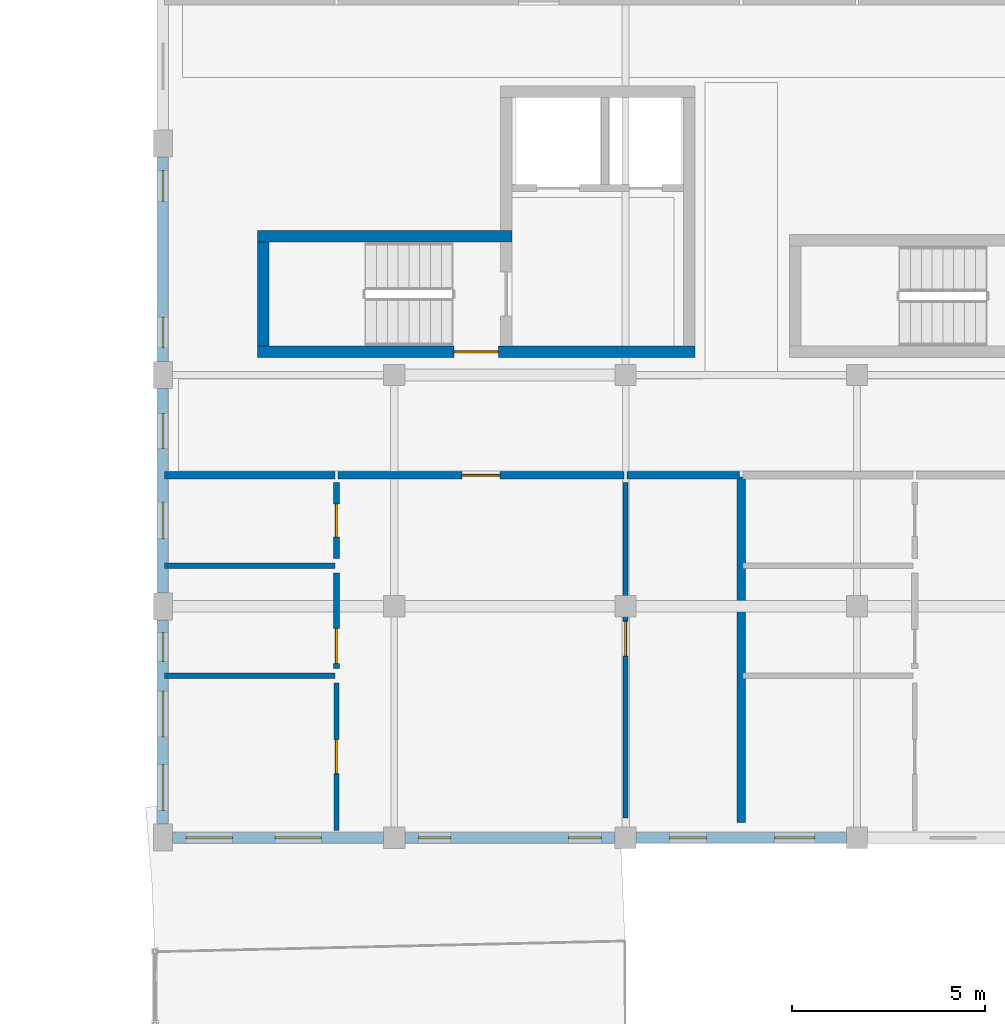
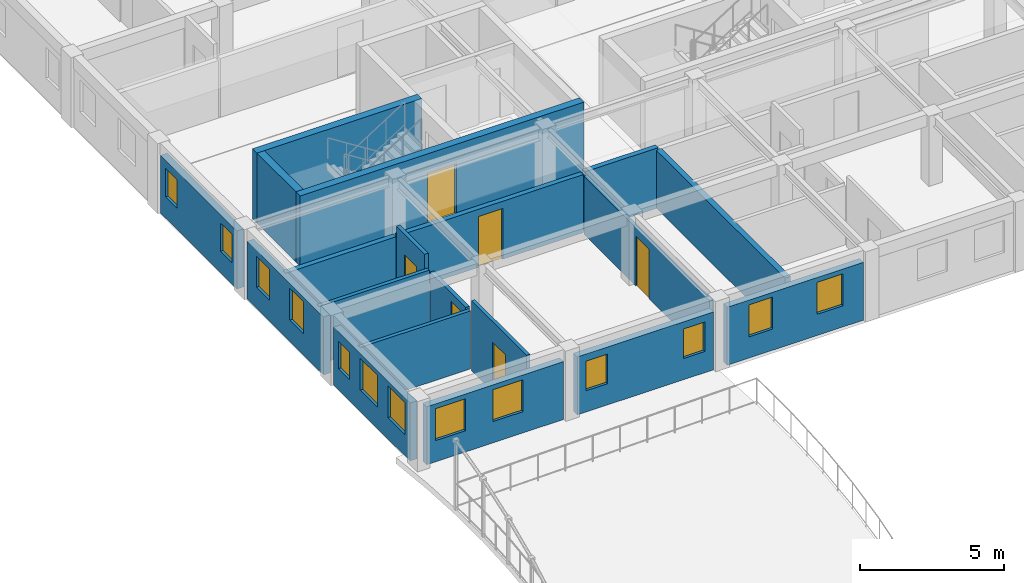
# One storey, part 34 of 58: 19 walls, 13 windows, 6 doors, 19 openings.
"""IFC4 building model written with IfcOpenShell, lengths in metres."""

from ifc_helpers import new_model, si_unit, direction, frame, frame_2d, origin, place, context, subcontext, project, spatial, rectangle, extrude, material, layer, layer_set, type_object, element, fill, save


model = new_model("IFC4")

# Units and contexts
model_context = context("Model", 3, precision=1e-05, world=origin(), true_north=direction((0.0, 1.0)))
body_context = subcontext(model_context, "Body", "Model", "MODEL_VIEW")
ifc_project = project(units=[si_unit("LENGTHUNIT", "METRE"), si_unit("AREAUNIT", "SQUARE_METRE"), si_unit("VOLUMEUNIT", "CUBIC_METRE"), si_unit("PLANEANGLEUNIT", "RADIAN"), si_unit("MASSUNIT", "GRAM", prefix="KILO"), si_unit("POWERUNIT", "WATT"), si_unit("THERMODYNAMICTEMPERATUREUNIT", "KELVIN")], contexts=[model_context])

# Site, building, storey
site_placement = place(None, origin())
site = spatial("IfcSite", under=ifc_project, at=site_placement, CompositionType="ELEMENT")
building_placement = place(site_placement, origin())
building = spatial("IfcBuilding", under=site, at=building_placement, Name="Ruvembo Vaulted Housing Court", CompositionType="ELEMENT")
storey_placement = place(building_placement, frame((0.0, 0.0, 20.5)))
storey = spatial("IfcBuildingStorey", under=building, at=storey_placement, Name="L06", CompositionType="ELEMENT", Elevation=20.5)

# Wall, opening, door
ifc_material_1 = material(Name="Concrete C35/45", Category="concrete")
ifc_layer_1 = layer(ifc_material_1, 0.300048828125, Name="Concrete C35/45")
ifc_layer_set_1 = layer_set([ifc_layer_1], Name="Concrete C35/45")
wall_type_1 = type_object("IfcWallType", Name="WL-CORE-300", PredefinedType="SHEAR", material=ifc_layer_set_1)
wall_1_placement = place(storey_placement, frame((50.449951171875, 90.60009765625, 0.0), z_axis=(0.0, 0.0, 1.0), x_axis=(1.0, 0.0, 0.0)))
wall_1 = element("IfcWall", 1, at=wall_1_placement, inside=storey, type_object=wall_type_1, Name="Core B1 L06 South Shear Wall", PredefinedType="SHEAR", context=body_context, shape_type="SweptSolid", body=[
    extrude(rectangle(XDim=11.35009765625, YDim=0.300048828125, at=frame_2d((5.675048828125, 0.0))), origin(), (0.0, 0.0, 1.0), 2.969970703125),
])
opening_1_placement = place(wall_1_placement, frame((5.10009765625, 0.0, 0.0)))
opening_1 = element("IfcOpeningElement", 2, at=opening_1_placement, cuts=wall_1, Name="Opening LD0", PredefinedType="OPENING", context=body_context, shape_type="SweptSolid", body=[
    extrude(rectangle(XDim=1.14990234375, YDim=2.14990234375, at=frame_2d((0.574951171875, 1.074951171875))), frame((0.0, 0.159912109375, 0.0), z_axis=(0.0, -1.0, 0.0), x_axis=(1.0, 0.0, 0.0)), (0.0, 0.0, 1.0), 0.320068359375),
])
ifc_material_2 = material(Name="Galvanised Painted Steel", Category="steel")
door_type_1 = type_object("IfcDoorType", Name="DR-LOB-1150x2150", OperationType="NOTDEFINED", PredefinedType="DOOR", material=ifc_material_2)
door_1_placement = place(opening_1_placement, origin())
door_1 = element("IfcDoor", 3, at=door_1_placement, inside=storey, type_object=door_type_1, Name="Core B1 L06 Lobby Fire Door", OperationType="SINGLE_SWING_RIGHT", OverallHeight=2.14990234375, OverallWidth=1.14990234375, PredefinedType="DOOR", context=body_context, shape_type="SweptSolid", body=[
    extrude(rectangle(XDim=1.14990234375, YDim=2.14990234375, at=frame_2d((0.574951171875, 1.074951171875))), frame((0.0, 0.02490234375, 0.0), z_axis=(0.0, -1.0, 0.0), x_axis=(1.0, 0.0, 0.0)), (0.0, 0.0, 1.0), 0.050048828125),
])
fill(opening_1, door_1)

# Walls
wall_2_placement = place(storey_placement, frame((57.050048828125, 93.60009765625, 0.0), z_axis=(0.0, 0.0, 1.0), x_axis=(-1.0, 0.0, 0.0)))
element("IfcWall", 4, at=wall_2_placement, inside=storey, type_object=wall_type_1, Name="Core B1 L06 Stair North Shear Wall", PredefinedType="SHEAR", context=body_context, shape_type="SweptSolid", body=[
    extrude(rectangle(XDim=6.60009765625, YDim=0.300048828125, at=frame_2d((3.300048828125, 0.0))), origin(), (0.0, 0.0, 1.0), 2.969970703125),
])
wall_3_placement = place(storey_placement, frame((50.60009765625, 93.449951171875, 0.0), z_axis=(0.0, 0.0, 1.0), x_axis=(0.0, -1.0, 0.0)))
element("IfcWall", 5, at=wall_3_placement, inside=storey, type_object=wall_type_1, Name="Core B1 L06 Stair West Shear Wall", PredefinedType="SHEAR", context=body_context, shape_type="SweptSolid", body=[
    extrude(rectangle(XDim=2.699951171875, YDim=0.300048828125, at=frame_2d((1.35009765625, 0.0))), origin(), (0.0, 0.0, 1.0), 2.969970703125),
])
ifc_material_3 = material(Name="Concrete Blockwork 200", Category="masonry")
ifc_layer_2 = layer(ifc_material_3, 0.199951171875, Name="Concrete Blockwork 200")
ifc_layer_set_2 = layer_set([ifc_layer_2], Name="Concrete Blockwork 200")
wall_type_2 = type_object("IfcWallType", Name="WL-CORR-200", PredefinedType="SOLIDWALL", material=ifc_layer_set_2)
wall_4_placement = place(storey_placement, frame((48.0400390625, 87.39990234375, 0.0), z_axis=(0.0, 0.0, 1.0), x_axis=(1.0, 0.0, 0.0)))
element("IfcWall", 6, at=wall_4_placement, inside=storey, type_object=wall_type_2, Name="L06 Flat B-L06-S1 Corridor Wall WL-INT-L06-01735", PredefinedType="SOLIDWALL", context=body_context, shape_type="SweptSolid", body=[
    extrude(rectangle(XDim=4.419921875, YDim=0.199951171875, at=frame_2d((2.2099609375, 0.0))), origin(), (0.0, 0.0, 1.0), 2.451904296875),
])

# Wall, opening, door
wall_5_placement = place(storey_placement, frame((52.5400390625, 87.39990234375, 0.0), z_axis=(0.0, 0.0, 1.0), x_axis=(1.0, 0.0, 0.0)))
wall_5 = element("IfcWall", 7, at=wall_5_placement, inside=storey, type_object=wall_type_2, Name="L06 Flat B-L06-S1 Entrance WL-INT-L06-01736", PredefinedType="SOLIDWALL", context=body_context, shape_type="SweptSolid", body=[
    extrude(rectangle(XDim=7.419921875, YDim=0.199951171875, at=frame_2d((3.7099609375, 0.0))), origin(), (0.0, 0.0, 1.0), 2.4580078125),
])
opening_2_placement = place(wall_5_placement, frame((3.219970703125, 0.0, 0.0)))
opening_2 = element("IfcOpeningElement", 8, at=opening_2_placement, cuts=wall_5, Name="Opening FD2", PredefinedType="OPENING", context=body_context, shape_type="SweptSolid", body=[
    extrude(rectangle(XDim=0.97998046875, YDim=2.14990234375, at=frame_2d((0.489990234375, 1.074951171875))), frame((0.0, 0.10986328125, 0.0), z_axis=(0.0, -1.0, 0.0), x_axis=(1.0, 0.0, 0.0)), (0.0, 0.0, 1.0), 0.219970703125),
])
ifc_material_4 = material(Name="FSC Hardwood and Engineered Timber", Category="wood")
door_type_2 = type_object("IfcDoorType", Name="DR-FLAT-0980x2150", OperationType="NOTDEFINED", PredefinedType="DOOR", material=ifc_material_4)
door_2_placement = place(opening_2_placement, origin())
door_2 = element("IfcDoor", 9, at=door_2_placement, inside=storey, type_object=door_type_2, Name="L06 Flat B-L06-S1 Entrance Door DR-INT-L06-00982", OperationType="SINGLE_SWING_RIGHT", OverallHeight=2.14990234375, OverallWidth=0.97998046875, PredefinedType="DOOR", context=body_context, shape_type="SweptSolid", body=[
    extrude(rectangle(XDim=0.97998046875, YDim=2.14990234375, at=frame_2d((0.489990234375, 1.074951171875))), frame((0.0, 0.02490234375, 0.0), z_axis=(0.0, -1.0, 0.0), x_axis=(1.0, 0.0, 0.0)), (0.0, 0.0, 1.0), 0.050048828125),
])
fill(opening_2, door_2)

# Walls
wall_6_placement = place(storey_placement, frame((60.0400390625, 87.39990234375, 0.0), z_axis=(0.0, 0.0, 1.0), x_axis=(1.0, 0.0, 0.0)))
element("IfcWall", 10, at=wall_6_placement, inside=storey, type_object=wall_type_2, Name="L06 Flat B-L06-S1 Corridor Wall 2 WL-INT-L06-01742", PredefinedType="SOLIDWALL", context=body_context, shape_type="SweptSolid", body=[
    extrude(rectangle(XDim=2.919921875, YDim=0.199951171875, at=frame_2d((1.4599609375, 0.0))), origin(), (0.0, 0.0, 1.0), 2.548095703125),
])
ifc_material_5 = material(Name="Acoustic Masonry Demising 220", Category="masonry")
ifc_layer_3 = layer(ifc_material_5, 0.219970703125, Name="Acoustic Masonry Demising 220")
ifc_layer_set_3 = layer_set([ifc_layer_3], Name="Acoustic Masonry Demising 220")
wall_type_3 = type_object("IfcWallType", Name="WL-DEM-200", PredefinedType="SOLIDWALL", material=ifc_layer_set_3)
wall_7_placement = place(storey_placement, frame((63.0, 78.389892578125, 0.0), z_axis=(0.0, 0.0, 1.0), x_axis=(0.0, 1.0, 0.0)))
element("IfcWall", 11, at=wall_7_placement, inside=storey, type_object=wall_type_3, Name="L06 Demising B-L06-S1 WL-INT-L06-01734", PredefinedType="SOLIDWALL", context=body_context, shape_type="SweptSolid", body=[
    extrude(rectangle(XDim=8.97021484375, YDim=0.219970703125, at=frame_2d((4.485107421875, 0.0))), origin(), (0.0, 0.0, 1.0), 2.451904296875),
])

# Wall, openings, windows
ifc_material_6 = material(Name="Rendered Masonry 270", Category="masonry")
ifc_layer_4 = layer(ifc_material_6, 0.27001953125, Name="Rendered Masonry 270")
ifc_layer_set_4 = layer_set([ifc_layer_4], Name="Rendered Masonry 270")
wall_type_4 = type_object("IfcWallType", Name="WL-EXT-270", PredefinedType="STANDARD", material=ifc_layer_set_4)
wall_8_placement = place(storey_placement, frame((48.25, 78.0, 0.0), z_axis=(0.0, 0.0, 1.0), x_axis=(1.0, 0.0, 0.0)))
wall_8 = element("IfcWall", 12, at=wall_8_placement, inside=storey, type_object=wall_type_4, Name="Block B L06 Exterior Wall COURTYARD #1", PredefinedType="STANDARD", context=body_context, shape_type="SweptSolid", body=[
    extrude(rectangle(XDim=5.47509765625, YDim=0.27001953125, at=frame_2d((2.737548828125, 0.0))), origin(), (0.0, 0.0, 1.0), 2.451904296875),
])
opening_3_placement = place(wall_8_placement, frame((0.35009765625, 0.0, 0.89990234375)))
opening_3 = element("IfcOpeningElement", 13, at=opening_3_placement, cuts=wall_8, Name="Opening W12", PredefinedType="OPENING", context=body_context, shape_type="SweptSolid", body=[
    extrude(rectangle(XDim=1.199951171875, YDim=1.35009765625, at=frame_2d((0.60009765625, 0.675048828125))), frame((0.0, 0.14501953125, 0.0), z_axis=(0.0, -1.0, 0.0), x_axis=(1.0, 0.0, 0.0)), (0.0, 0.0, 1.0), 0.2900390625),
])
opening_4_placement = place(wall_8_placement, frame((2.659912109375, 0.0, 0.89990234375)))
opening_4 = element("IfcOpeningElement", 14, at=opening_4_placement, cuts=wall_8, Name="Opening W12", PredefinedType="OPENING", context=body_context, shape_type="SweptSolid", body=[
    extrude(rectangle(XDim=1.199951171875, YDim=1.35009765625, at=frame_2d((0.60009765625, 0.675048828125))), frame((0.0, 0.14501953125, 0.0), z_axis=(0.0, -1.0, 0.0), x_axis=(1.0, 0.0, 0.0)), (0.0, 0.0, 1.0), 0.2900390625),
])
ifc_material_7 = material(Name="Double Solar-Control Glazing in Aluminium Frame", Category="aluminium")
window_type_1 = type_object("IfcWindowType", Name="WIN-1200x1350", PartitioningType="SINGLE_PANEL", PredefinedType="WINDOW", material=ifc_material_7)
window_1_placement = place(opening_3_placement, origin())
window_1 = element("IfcWindow", 15, at=window_1_placement, inside=storey, type_object=window_type_1, Name="Block B L06 Window #857", OverallHeight=1.35009765625, OverallWidth=1.199951171875, PartitioningType="SINGLE_PANEL", PredefinedType="WINDOW", context=body_context, shape_type="SweptSolid", body=[
    extrude(rectangle(XDim=1.199951171875, YDim=1.35009765625, at=frame_2d((0.60009765625, 0.675048828125))), frame((0.0, 0.030029296875, 0.0), z_axis=(0.0, -1.0, 0.0), x_axis=(1.0, 0.0, 0.0)), (0.0, 0.0, 1.0), 0.06005859375),
])
fill(opening_3, window_1)
window_2_placement = place(opening_4_placement, origin())
window_2 = element("IfcWindow", 16, at=window_2_placement, inside=storey, type_object=window_type_1, Name="Block B L06 Window #858", OverallHeight=1.35009765625, OverallWidth=1.199951171875, PartitioningType="SINGLE_PANEL", PredefinedType="WINDOW", context=body_context, shape_type="SweptSolid", body=[
    extrude(rectangle(XDim=1.199951171875, YDim=1.35009765625, at=frame_2d((0.60009765625, 0.675048828125))), frame((0.0, 0.030029296875, 0.0), z_axis=(0.0, -1.0, 0.0), x_axis=(1.0, 0.0, 0.0)), (0.0, 0.0, 1.0), 0.06005859375),
])
fill(opening_4, window_2)

wall_9_placement = place(storey_placement, frame((54.27490234375, 78.0, 0.0), z_axis=(0.0, 0.0, 1.0), x_axis=(1.0, 0.0, 0.0)))
wall_9 = element("IfcWall", 17, at=wall_9_placement, inside=storey, type_object=wall_type_4, Name="Block B L06 Exterior Wall COURTYARD #2", PredefinedType="STANDARD", context=body_context, shape_type="SweptSolid", body=[
    extrude(rectangle(XDim=5.4501953125, YDim=0.27001953125, at=frame_2d((2.72509765625, 0.0))), origin(), (0.0, 0.0, 1.0), 2.451904296875),
])
opening_5_placement = place(wall_9_placement, frame((0.35009765625, 0.0, 0.89990234375)))
opening_5 = element("IfcOpeningElement", 18, at=opening_5_placement, cuts=wall_9, Name="Opening W03", PredefinedType="OPENING", context=body_context, shape_type="SweptSolid", body=[
    extrude(rectangle(XDim=0.85009765625, YDim=1.25, at=frame_2d((0.425048828125, 0.625))), frame((0.0, 0.14501953125, 0.0), z_axis=(0.0, -1.0, 0.0), x_axis=(1.0, 0.0, 0.0)), (0.0, 0.0, 1.0), 0.2900390625),
])
opening_6_placement = place(wall_9_placement, frame((4.25, 0.0, 0.89990234375)))
opening_6 = element("IfcOpeningElement", 19, at=opening_6_placement, cuts=wall_9, Name="Opening W03", PredefinedType="OPENING", context=body_context, shape_type="SweptSolid", body=[
    extrude(rectangle(XDim=0.85009765625, YDim=1.25, at=frame_2d((0.425048828125, 0.625))), frame((0.0, 0.14501953125, 0.0), z_axis=(0.0, -1.0, 0.0), x_axis=(1.0, 0.0, 0.0)), (0.0, 0.0, 1.0), 0.2900390625),
])
window_type_2 = type_object("IfcWindowType", Name="WIN-0850x1250", PartitioningType="SINGLE_PANEL", PredefinedType="WINDOW", material=ifc_material_7)
window_3_placement = place(opening_5_placement, origin())
window_3 = element("IfcWindow", 20, at=window_3_placement, inside=storey, type_object=window_type_2, Name="Block B L06 Window #859", OverallHeight=1.25, OverallWidth=0.85009765625, PartitioningType="SINGLE_PANEL", PredefinedType="WINDOW", context=body_context, shape_type="SweptSolid", body=[
    extrude(rectangle(XDim=0.85009765625, YDim=1.25, at=frame_2d((0.425048828125, 0.625))), frame((0.0, 0.030029296875, 0.0), z_axis=(0.0, -1.0, 0.0), x_axis=(1.0, 0.0, 0.0)), (0.0, 0.0, 1.0), 0.06005859375),
])
fill(opening_5, window_3)
window_4_placement = place(opening_6_placement, origin())
window_4 = element("IfcWindow", 21, at=window_4_placement, inside=storey, type_object=window_type_2, Name="Block B L06 Window #860", OverallHeight=1.25, OverallWidth=0.85009765625, PartitioningType="SINGLE_PANEL", PredefinedType="WINDOW", context=body_context, shape_type="SweptSolid", body=[
    extrude(rectangle(XDim=0.85009765625, YDim=1.25, at=frame_2d((0.425048828125, 0.625))), frame((0.0, 0.030029296875, 0.0), z_axis=(0.0, -1.0, 0.0), x_axis=(1.0, 0.0, 0.0)), (0.0, 0.0, 1.0), 0.06005859375),
])
fill(opening_6, window_4)

wall_10_placement = place(storey_placement, frame((60.27490234375, 78.0, 0.0), z_axis=(0.0, 0.0, 1.0), x_axis=(1.0, 0.0, 0.0)))
wall_10 = element("IfcWall", 22, at=wall_10_placement, inside=storey, type_object=wall_type_4, Name="Block B L06 Exterior Wall COURTYARD #3", PredefinedType="STANDARD", context=body_context, shape_type="SweptSolid", body=[
    extrude(rectangle(XDim=5.4501953125, YDim=0.27001953125, at=frame_2d((2.72509765625, 0.0))), origin(), (0.0, 0.0, 1.0), 2.451904296875),
])
opening_7_placement = place(wall_10_placement, frame((0.867431640625, 0.0, 0.89990234375)))
opening_7 = element("IfcOpeningElement", 23, at=opening_7_placement, cuts=wall_10, Name="Opening W07", PredefinedType="OPENING", context=body_context, shape_type="SweptSolid", body=[
    extrude(rectangle(XDim=0.949951171875, YDim=1.35009765625, at=frame_2d((0.47509765625, 0.675048828125))), frame((0.0, 0.14501953125, 0.0), z_axis=(0.0, -1.0, 0.0), x_axis=(1.0, 0.0, 0.0)), (0.0, 0.0, 1.0), 0.2900390625),
])
opening_8_placement = place(wall_10_placement, frame((3.58251953125, 0.0, 0.89990234375)))
opening_8 = element("IfcOpeningElement", 24, at=opening_8_placement, cuts=wall_10, Name="Opening W09", PredefinedType="OPENING", context=body_context, shape_type="SweptSolid", body=[
    extrude(rectangle(XDim=1.050048828125, YDim=1.35009765625, at=frame_2d((0.52490234375, 0.675048828125))), frame((0.0, 0.14501953125, 0.0), z_axis=(0.0, -1.0, 0.0), x_axis=(1.0, 0.0, 0.0)), (0.0, 0.0, 1.0), 0.2900390625),
])
window_type_3 = type_object("IfcWindowType", Name="WIN-0950x1350", PartitioningType="SINGLE_PANEL", PredefinedType="WINDOW", material=ifc_material_7)
window_5_placement = place(opening_7_placement, origin())
window_5 = element("IfcWindow", 25, at=window_5_placement, inside=storey, type_object=window_type_3, Name="Block B L06 Window #861", OverallHeight=1.35009765625, OverallWidth=0.949951171875, PartitioningType="SINGLE_PANEL", PredefinedType="WINDOW", context=body_context, shape_type="SweptSolid", body=[
    extrude(rectangle(XDim=0.949951171875, YDim=1.35009765625, at=frame_2d((0.47509765625, 0.675048828125))), frame((0.0, 0.030029296875, 0.0), z_axis=(0.0, -1.0, 0.0), x_axis=(1.0, 0.0, 0.0)), (0.0, 0.0, 1.0), 0.06005859375),
])
fill(opening_7, window_5)
window_type_4 = type_object("IfcWindowType", Name="WIN-1050x1350", PartitioningType="SINGLE_PANEL", PredefinedType="WINDOW", material=ifc_material_7)
window_6_placement = place(opening_8_placement, origin())
window_6 = element("IfcWindow", 26, at=window_6_placement, inside=storey, type_object=window_type_4, Name="Block B L06 Window #862", OverallHeight=1.35009765625, OverallWidth=1.050048828125, PartitioningType="SINGLE_PANEL", PredefinedType="WINDOW", context=body_context, shape_type="SweptSolid", body=[
    extrude(rectangle(XDim=1.050048828125, YDim=1.35009765625, at=frame_2d((0.52490234375, 0.675048828125))), frame((0.0, 0.030029296875, 0.0), z_axis=(0.0, -1.0, 0.0), x_axis=(1.0, 0.0, 0.0)), (0.0, 0.0, 1.0), 0.06005859375),
])
fill(opening_8, window_6)

wall_11_placement = place(storey_placement, frame((48.0, 95.64990234375, 0.0), z_axis=(0.0, 0.0, 1.0), x_axis=(0.0, -1.0, 0.0)))
wall_11 = element("IfcWall", 27, at=wall_11_placement, inside=storey, type_object=wall_type_4, Name="Block B L06 Exterior Wall WEST #4", PredefinedType="STANDARD", context=body_context, shape_type="SweptSolid", body=[
    extrude(rectangle(XDim=5.2998046875, YDim=0.27001953125, at=frame_2d((2.64990234375, 0.0))), origin(), (0.0, 0.0, 1.0), 2.451904296875),
])
opening_9_placement = place(wall_11_placement, frame((0.35009765625, 0.0, 0.89990234375)))
opening_9 = element("IfcOpeningElement", 28, at=opening_9_placement, cuts=wall_11, Name="Opening W02", PredefinedType="OPENING", context=body_context, shape_type="SweptSolid", body=[
    extrude(rectangle(XDim=0.800048828125, YDim=1.199951171875, at=frame_2d((0.39990234375, 0.60009765625))), frame((0.0, 0.14501953125, 0.0), z_axis=(0.0, -1.0, 0.0), x_axis=(1.0, 0.0, 0.0)), (0.0, 0.0, 1.0), 0.2900390625),
])
opening_10_placement = place(wall_11_placement, frame((4.14990234375, 0.0, 0.89990234375)))
opening_10 = element("IfcOpeningElement", 29, at=opening_10_placement, cuts=wall_11, Name="Opening W02", PredefinedType="OPENING", context=body_context, shape_type="SweptSolid", body=[
    extrude(rectangle(XDim=0.800048828125, YDim=1.199951171875, at=frame_2d((0.39990234375, 0.60009765625))), frame((0.0, 0.14501953125, 0.0), z_axis=(0.0, -1.0, 0.0), x_axis=(1.0, 0.0, 0.0)), (0.0, 0.0, 1.0), 0.2900390625),
])
window_type_5 = type_object("IfcWindowType", Name="WIN-0800x1200", PartitioningType="SINGLE_PANEL", PredefinedType="WINDOW", material=ifc_material_7)
window_7_placement = place(opening_9_placement, origin())
window_7 = element("IfcWindow", 30, at=window_7_placement, inside=storey, type_object=window_type_5, Name="Block B L06 Window #900", OverallHeight=1.199951171875, OverallWidth=0.800048828125, PartitioningType="SINGLE_PANEL", PredefinedType="WINDOW", context=body_context, shape_type="SweptSolid", body=[
    extrude(rectangle(XDim=0.800048828125, YDim=1.199951171875, at=frame_2d((0.39990234375, 0.60009765625))), frame((0.0, 0.030029296875, 0.0), z_axis=(0.0, -1.0, 0.0), x_axis=(1.0, 0.0, 0.0)), (0.0, 0.0, 1.0), 0.06005859375),
])
fill(opening_9, window_7)
window_8_placement = place(opening_10_placement, origin())
window_8 = element("IfcWindow", 31, at=window_8_placement, inside=storey, type_object=window_type_5, Name="Block B L06 Window #901", OverallHeight=1.199951171875, OverallWidth=0.800048828125, PartitioningType="SINGLE_PANEL", PredefinedType="WINDOW", context=body_context, shape_type="SweptSolid", body=[
    extrude(rectangle(XDim=0.800048828125, YDim=1.199951171875, at=frame_2d((0.39990234375, 0.60009765625))), frame((0.0, 0.030029296875, 0.0), z_axis=(0.0, -1.0, 0.0), x_axis=(1.0, 0.0, 0.0)), (0.0, 0.0, 1.0), 0.06005859375),
])
fill(opening_10, window_8)

wall_12_placement = place(storey_placement, frame((48.0, 89.64990234375, 0.0), z_axis=(0.0, 0.0, 1.0), x_axis=(0.0, -1.0, 0.0)))
wall_12 = element("IfcWall", 32, at=wall_12_placement, inside=storey, type_object=wall_type_4, Name="Block B L06 Exterior Wall WEST #5", PredefinedType="STANDARD", context=body_context, shape_type="SweptSolid", body=[
    extrude(rectangle(XDim=5.2998046875, YDim=0.27001953125, at=frame_2d((2.64990234375, 0.0))), origin(), (0.0, 0.0, 1.0), 2.451904296875),
])
opening_11_placement = place(wall_12_placement, frame((0.655029296875, 0.0, 0.89990234375)))
opening_11 = element("IfcOpeningElement", 33, at=opening_11_placement, cuts=wall_12, Name="Opening W04", PredefinedType="OPENING", context=body_context, shape_type="SweptSolid", body=[
    extrude(rectangle(XDim=0.89990234375, YDim=1.300048828125, at=frame_2d((0.449951171875, 0.64990234375))), frame((0.0, 0.14501953125, 0.0), z_axis=(0.0, -1.0, 0.0), x_axis=(1.0, 0.0, 0.0)), (0.0, 0.0, 1.0), 0.2900390625),
])
opening_12_placement = place(wall_12_placement, frame((2.949951171875, 0.0, 0.89990234375)))
opening_12 = element("IfcOpeningElement", 34, at=opening_12_placement, cuts=wall_12, Name="Opening W07", PredefinedType="OPENING", context=body_context, shape_type="SweptSolid", body=[
    extrude(rectangle(XDim=0.949951171875, YDim=1.35009765625, at=frame_2d((0.47509765625, 0.675048828125))), frame((0.0, 0.14501953125, 0.0), z_axis=(0.0, -1.0, 0.0), x_axis=(1.0, 0.0, 0.0)), (0.0, 0.0, 1.0), 0.2900390625),
])
window_type_6 = type_object("IfcWindowType", Name="WIN-0900x1300", PartitioningType="SINGLE_PANEL", PredefinedType="WINDOW", material=ifc_material_7)
window_9_placement = place(opening_11_placement, origin())
window_9 = element("IfcWindow", 35, at=window_9_placement, inside=storey, type_object=window_type_6, Name="Block B L06 Window #902", OverallHeight=1.300048828125, OverallWidth=0.89990234375, PartitioningType="SINGLE_PANEL", PredefinedType="WINDOW", context=body_context, shape_type="SweptSolid", body=[
    extrude(rectangle(XDim=0.89990234375, YDim=1.300048828125, at=frame_2d((0.449951171875, 0.64990234375))), frame((0.0, 0.030029296875, 0.0), z_axis=(0.0, -1.0, 0.0), x_axis=(1.0, 0.0, 0.0)), (0.0, 0.0, 1.0), 0.06005859375),
])
fill(opening_11, window_9)
window_10_placement = place(opening_12_placement, origin())
window_10 = element("IfcWindow", 36, at=window_10_placement, inside=storey, type_object=window_type_3, Name="Block B L06 Window #903", OverallHeight=1.35009765625, OverallWidth=0.949951171875, PartitioningType="SINGLE_PANEL", PredefinedType="WINDOW", context=body_context, shape_type="SweptSolid", body=[
    extrude(rectangle(XDim=0.949951171875, YDim=1.35009765625, at=frame_2d((0.47509765625, 0.675048828125))), frame((0.0, 0.030029296875, 0.0), z_axis=(0.0, -1.0, 0.0), x_axis=(1.0, 0.0, 0.0)), (0.0, 0.0, 1.0), 0.06005859375),
])
fill(opening_12, window_10)

wall_13_placement = place(storey_placement, frame((48.0, 83.64990234375, 0.0), z_axis=(0.0, 0.0, 1.0), x_axis=(0.0, -1.0, 0.0)))
wall_13 = element("IfcWall", 37, at=wall_13_placement, inside=storey, type_object=wall_type_4, Name="Block B L06 Exterior Wall WEST #6", PredefinedType="STANDARD", context=body_context, shape_type="SweptSolid", body=[
    extrude(rectangle(XDim=5.2998046875, YDim=0.27001953125, at=frame_2d((2.64990234375, 0.0))), origin(), (0.0, 0.0, 1.0), 2.451904296875),
])
opening_13_placement = place(wall_13_placement, frame((0.330078125, 0.0, 0.89990234375)))
opening_13 = element("IfcOpeningElement", 38, at=opening_13_placement, cuts=wall_13, Name="Opening W01", PredefinedType="OPENING", context=body_context, shape_type="SweptSolid", body=[
    extrude(rectangle(XDim=0.75, YDim=1.14990234375, at=frame_2d((0.375, 0.574951171875))), frame((0.0, 0.14501953125, 0.0), z_axis=(0.0, -1.0, 0.0), x_axis=(1.0, 0.0, 0.0)), (0.0, 0.0, 1.0), 0.2900390625),
])
opening_14_placement = place(wall_13_placement, frame((1.840087890625, 0.0, 0.89990234375)))
opening_14 = element("IfcOpeningElement", 39, at=opening_14_placement, cuts=wall_13, Name="Opening W12", PredefinedType="OPENING", context=body_context, shape_type="SweptSolid", body=[
    extrude(rectangle(XDim=1.199951171875, YDim=1.35009765625, at=frame_2d((0.60009765625, 0.675048828125))), frame((0.0, 0.14501953125, 0.0), z_axis=(0.0, -1.0, 0.0), x_axis=(1.0, 0.0, 0.0)), (0.0, 0.0, 1.0), 0.2900390625),
])
opening_15_placement = place(wall_13_placement, frame((3.75, 0.0, 0.89990234375)))
opening_15 = element("IfcOpeningElement", 40, at=opening_15_placement, cuts=wall_13, Name="Opening W12", PredefinedType="OPENING", context=body_context, shape_type="SweptSolid", body=[
    extrude(rectangle(XDim=1.199951171875, YDim=1.35009765625, at=frame_2d((0.60009765625, 0.675048828125))), frame((0.0, 0.14501953125, 0.0), z_axis=(0.0, -1.0, 0.0), x_axis=(1.0, 0.0, 0.0)), (0.0, 0.0, 1.0), 0.2900390625),
])
window_type_7 = type_object("IfcWindowType", Name="WIN-0750x1150", PartitioningType="SINGLE_PANEL", PredefinedType="WINDOW", material=ifc_material_7)
window_11_placement = place(opening_13_placement, origin())
window_11 = element("IfcWindow", 41, at=window_11_placement, inside=storey, type_object=window_type_7, Name="Block B L06 Window #904", OverallHeight=1.14990234375, OverallWidth=0.75, PartitioningType="SINGLE_PANEL", PredefinedType="WINDOW", context=body_context, shape_type="SweptSolid", body=[
    extrude(rectangle(XDim=0.75, YDim=1.14990234375, at=frame_2d((0.375, 0.574951171875))), frame((0.0, 0.030029296875, 0.0), z_axis=(0.0, -1.0, 0.0), x_axis=(1.0, 0.0, 0.0)), (0.0, 0.0, 1.0), 0.06005859375),
])
fill(opening_13, window_11)
window_12_placement = place(opening_14_placement, origin())
window_12 = element("IfcWindow", 42, at=window_12_placement, inside=storey, type_object=window_type_1, Name="Block B L06 Window #905", OverallHeight=1.35009765625, OverallWidth=1.199951171875, PartitioningType="SINGLE_PANEL", PredefinedType="WINDOW", context=body_context, shape_type="SweptSolid", body=[
    extrude(rectangle(XDim=1.199951171875, YDim=1.35009765625, at=frame_2d((0.60009765625, 0.675048828125))), frame((0.0, 0.030029296875, 0.0), z_axis=(0.0, -1.0, 0.0), x_axis=(1.0, 0.0, 0.0)), (0.0, 0.0, 1.0), 0.06005859375),
])
fill(opening_14, window_12)
window_13_placement = place(opening_15_placement, origin())
window_13 = element("IfcWindow", 43, at=window_13_placement, inside=storey, type_object=window_type_1, Name="Block B L06 Window #906", OverallHeight=1.35009765625, OverallWidth=1.199951171875, PartitioningType="SINGLE_PANEL", PredefinedType="WINDOW", context=body_context, shape_type="SweptSolid", body=[
    extrude(rectangle(XDim=1.199951171875, YDim=1.35009765625, at=frame_2d((0.60009765625, 0.675048828125))), frame((0.0, 0.030029296875, 0.0), z_axis=(0.0, -1.0, 0.0), x_axis=(1.0, 0.0, 0.0)), (0.0, 0.0, 1.0), 0.06005859375),
])
fill(opening_15, window_13)

# Wall, opening, door
ifc_material_8 = material(Name="Acoustic Stud Partition 135", Category="gypsum")
ifc_layer_5 = layer(ifc_material_8, 0.135009765625, Name="Acoustic Stud Partition 135")
ifc_layer_set_5 = layer_set([ifc_layer_5], Name="Acoustic Stud Partition 135")
wall_type_5 = type_object("IfcWallType", Name="WL-PART-135", PredefinedType="PARTITIONING", material=ifc_layer_set_5)
wall_14_placement = place(storey_placement, frame((52.5, 78.18994140625, 0.0), z_axis=(0.0, 0.0, 1.0), x_axis=(0.0, 1.0, 0.0)))
wall_14 = element("IfcWall", 44, at=wall_14_placement, inside=storey, type_object=wall_type_5, Name="L06 Flat B-L06-S1 Bedroom 1 WL-INT-L06-01737", PredefinedType="PARTITIONING", context=body_context, shape_type="SweptSolid", body=[
    extrude(rectangle(XDim=3.820068359375, YDim=0.135009765625, at=frame_2d((1.91015625, 0.0))), origin(), (0.0, 0.0, 1.0), 2.969970703125),
])
opening_16_placement = place(wall_14_placement, frame((1.469970703125, 0.0, 0.0)))
opening_16 = element("IfcOpeningElement", 45, at=opening_16_placement, cuts=wall_14, Name="Opening ID3", PredefinedType="OPENING", context=body_context, shape_type="SweptSolid", body=[
    extrude(rectangle(XDim=0.8798828125, YDim=2.10009765625, at=frame_2d((0.43994140625, 1.050048828125))), frame((0.0, 0.077392578125, 0.0), z_axis=(0.0, -1.0, 0.0), x_axis=(1.0, 0.0, 0.0)), (0.0, 0.0, 1.0), 0.155029296875),
])
door_type_3 = type_object("IfcDoorType", Name="DR-ROOM-0880x2100", OperationType="NOTDEFINED", PredefinedType="DOOR", material=ifc_material_4)
door_3_placement = place(opening_16_placement, origin())
door_3 = element("IfcDoor", 46, at=door_3_placement, inside=storey, type_object=door_type_3, Name="L06 Flat B-L06-S1 Bedroom 1 Door DR-INT-L06-00983", OperationType="SINGLE_SWING_LEFT", OverallHeight=2.10009765625, OverallWidth=0.8798828125, PredefinedType="DOOR", context=body_context, shape_type="SweptSolid", body=[
    extrude(rectangle(XDim=0.8798828125, YDim=2.10009765625, at=frame_2d((0.43994140625, 1.050048828125))), frame((0.0, 0.02490234375, 0.0), z_axis=(0.0, -1.0, 0.0), x_axis=(1.0, 0.0, 0.0)), (0.0, 0.0, 1.0), 0.050048828125),
])
fill(opening_16, door_3)

wall_15_placement = place(storey_placement, frame((60.0, 78.510009765625, 0.0), z_axis=(0.0, 0.0, 1.0), x_axis=(0.0, 1.0, 0.0)))
wall_15 = element("IfcWall", 47, at=wall_15_placement, inside=storey, type_object=wall_type_5, Name="L06 Flat B-L06-S1 Bedroom 2 WL-INT-L06-01743", PredefinedType="PARTITIONING", context=body_context, shape_type="SweptSolid", body=[
    extrude(rectangle(XDim=8.699951171875, YDim=0.135009765625, at=frame_2d((4.35009765625, 0.0))), origin(), (0.0, 0.0, 1.0), 2.4580078125),
])
opening_17_placement = place(wall_15_placement, frame((4.199951171875, 0.0, 0.0)))
opening_17 = element("IfcOpeningElement", 48, at=opening_17_placement, cuts=wall_15, Name="Opening ID1", PredefinedType="OPENING", context=body_context, shape_type="SweptSolid", body=[
    extrude(rectangle(XDim=0.89990234375, YDim=2.10009765625, at=frame_2d((0.449951171875, 1.050048828125))), frame((0.0, 0.077392578125, 0.0), z_axis=(0.0, -1.0, 0.0), x_axis=(1.0, 0.0, 0.0)), (0.0, 0.0, 1.0), 0.155029296875),
])
door_type_4 = type_object("IfcDoorType", Name="DR-ROOM-0900x2100", OperationType="NOTDEFINED", PredefinedType="DOOR", material=ifc_material_4)
door_4_placement = place(opening_17_placement, origin())
door_4 = element("IfcDoor", 49, at=door_4_placement, inside=storey, type_object=door_type_4, Name="L06 Flat B-L06-S1 Bedroom 2 Door DR-INT-L06-00986", OperationType="SINGLE_SWING_RIGHT", OverallHeight=2.10009765625, OverallWidth=0.89990234375, PredefinedType="DOOR", context=body_context, shape_type="SweptSolid", body=[
    extrude(rectangle(XDim=0.89990234375, YDim=2.10009765625, at=frame_2d((0.449951171875, 1.050048828125))), frame((0.0, 0.02490234375, 0.0), z_axis=(0.0, -1.0, 0.0), x_axis=(1.0, 0.0, 0.0)), (0.0, 0.0, 1.0), 0.050048828125),
])
fill(opening_17, door_4)

ifc_material_9 = material(Name="Moisture-Resistant Wet Partition 150", Category="gypsum")
ifc_layer_6 = layer(ifc_material_9, 0.14990234375, Name="Moisture-Resistant Wet Partition 150")
ifc_layer_set_6 = layer_set([ifc_layer_6], Name="Moisture-Resistant Wet Partition 150")
wall_type_6 = type_object("IfcWallType", Name="WL-PART-150", PredefinedType="PARTITIONING", material=ifc_layer_set_6)
wall_16_placement = place(storey_placement, frame((52.5, 85.239990234375, 0.0), z_axis=(0.0, 0.0, 1.0), x_axis=(0.0, 1.0, 0.0)))
wall_16 = element("IfcWall", 50, at=wall_16_placement, inside=storey, type_object=wall_type_6, Name="L06 Flat B-L06-S1 Bathroom WL-INT-L06-01739", PredefinedType="PARTITIONING", context=body_context, shape_type="SweptSolid", body=[
    extrude(rectangle(XDim=1.969970703125, YDim=0.14990234375, at=frame_2d((0.98486328125, 0.0))), origin(), (0.0, 0.0, 1.0), 2.969970703125),
])
opening_18_placement = place(wall_16_placement, frame((0.56005859375, 0.0, 0.0)))
opening_18 = element("IfcOpeningElement", 51, at=opening_18_placement, cuts=wall_16, Name="Opening ID2", PredefinedType="OPENING", context=body_context, shape_type="SweptSolid", body=[
    extrude(rectangle(XDim=0.85009765625, YDim=2.10009765625, at=frame_2d((0.425048828125, 1.050048828125))), frame((0.0, 0.0849609375, 0.0), z_axis=(0.0, -1.0, 0.0), x_axis=(1.0, 0.0, 0.0)), (0.0, 0.0, 1.0), 0.169921875),
])
door_type_5 = type_object("IfcDoorType", Name="DR-WET-0850x2100", OperationType="NOTDEFINED", PredefinedType="DOOR", material=ifc_material_4)
door_5_placement = place(opening_18_placement, origin())
door_5 = element("IfcDoor", 52, at=door_5_placement, inside=storey, type_object=door_type_5, Name="L06 Flat B-L06-S1 Bathroom Door DR-INT-L06-00985", OperationType="SINGLE_SWING_LEFT", OverallHeight=2.10009765625, OverallWidth=0.85009765625, PredefinedType="DOOR", context=body_context, shape_type="SweptSolid", body=[
    extrude(rectangle(XDim=0.85009765625, YDim=2.10009765625, at=frame_2d((0.425048828125, 1.050048828125))), frame((0.0, 0.02490234375, 0.0), z_axis=(0.0, -1.0, 0.0), x_axis=(1.0, 0.0, 0.0)), (0.0, 0.0, 1.0), 0.050048828125),
])
fill(opening_18, door_5)

# Walls
for number, where, z_axis, x_axis, name in (
    (53, (48.0400390625, 82.199951171875, 0.0), (0.0, 0.0, 1.0), (1.0, 0.0, 0.0), "L06 Flat B-L06-S1 Wet Wall 1 WL-INT-L06-01740"),
    (54, (48.0400390625, 85.050048828125, 0.0), (0.0, 0.0, 1.0), (1.0, 0.0, 0.0), "L06 Flat B-L06-S1 Wet Wall 2 WL-INT-L06-01741"),
):
    element("IfcWall", number, at=place(storey_placement, frame(where, z_axis=z_axis, x_axis=x_axis)), inside=storey, type_object=wall_type_6, Name=name, PredefinedType="PARTITIONING", context=body_context, shape_type="SweptSolid", body=[
        extrude(rectangle(XDim=4.419921875, YDim=0.14990234375, at=frame_2d((2.2099609375, 0.0))), origin(), (0.0, 0.0, 1.0), 2.451904296875),
    ])

# Wall, opening, door
ifc_material_10 = material(Name="Acoustic Service Chase Wall 160", Category="gypsum")
ifc_layer_7 = layer(ifc_material_10, 0.159912109375, Name="Acoustic Service Chase Wall 160")
ifc_layer_set_7 = layer_set([ifc_layer_7], Name="Acoustic Service Chase Wall 160")
wall_type_7 = type_object("IfcWallType", Name="WL-PLUMB-160", PredefinedType="PLUMBINGWALL", material=ifc_layer_set_7)
wall_17_placement = place(storey_placement, frame((52.5, 82.389892578125, 0.0), z_axis=(0.0, 0.0, 1.0), x_axis=(0.0, 1.0, 0.0)))
wall_17 = element("IfcWall", 55, at=wall_17_placement, inside=storey, type_object=wall_type_7, Name="L06 Flat B-L06-S1 Kitchen WL-INT-L06-01738", PredefinedType="PLUMBINGWALL", context=body_context, shape_type="SweptSolid", body=[
    extrude(rectangle(XDim=2.47021484375, YDim=0.159912109375, at=frame_2d((1.235107421875, 0.0))), origin(), (0.0, 0.0, 1.0), 2.451904296875),
])
opening_19_placement = place(wall_17_placement, frame((0.1298828125, 0.0, 0.0)))
opening_19 = element("IfcOpeningElement", 56, at=opening_19_placement, cuts=wall_17, Name="Opening ID1", PredefinedType="OPENING", context=body_context, shape_type="SweptSolid", body=[
    extrude(rectangle(XDim=0.89990234375, YDim=2.10009765625, at=frame_2d((0.449951171875, 1.050048828125))), frame((0.0, 0.08984375, 0.0), z_axis=(0.0, -1.0, 0.0), x_axis=(1.0, 0.0, 0.0)), (0.0, 0.0, 1.0), 0.179931640625),
])
door_6_placement = place(opening_19_placement, origin())
door_6 = element("IfcDoor", 57, at=door_6_placement, inside=storey, type_object=door_type_4, Name="L06 Flat B-L06-S1 Kitchen Door DR-INT-L06-00984", OperationType="SINGLE_SWING_RIGHT", OverallHeight=2.10009765625, OverallWidth=0.89990234375, PredefinedType="DOOR", context=body_context, shape_type="SweptSolid", body=[
    extrude(rectangle(XDim=0.89990234375, YDim=2.10009765625, at=frame_2d((0.449951171875, 1.050048828125))), frame((0.0, 0.02490234375, 0.0), z_axis=(0.0, -1.0, 0.0), x_axis=(1.0, 0.0, 0.0)), (0.0, 0.0, 1.0), 0.050048828125),
])
fill(opening_19, door_6)

save(model, "model.ifc")
